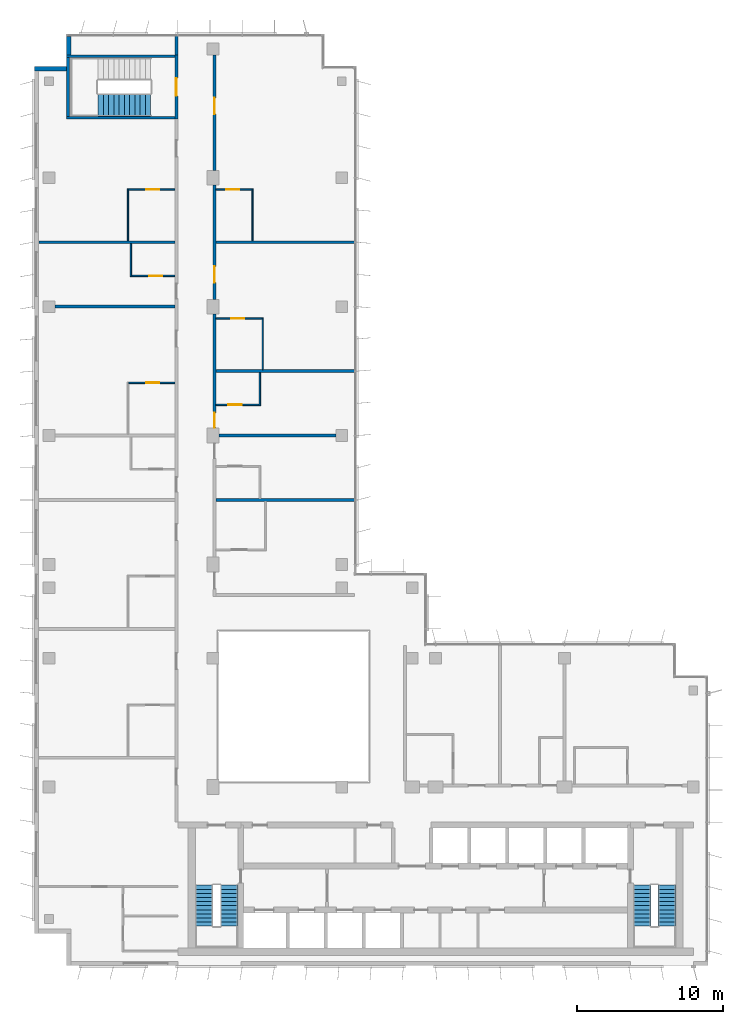
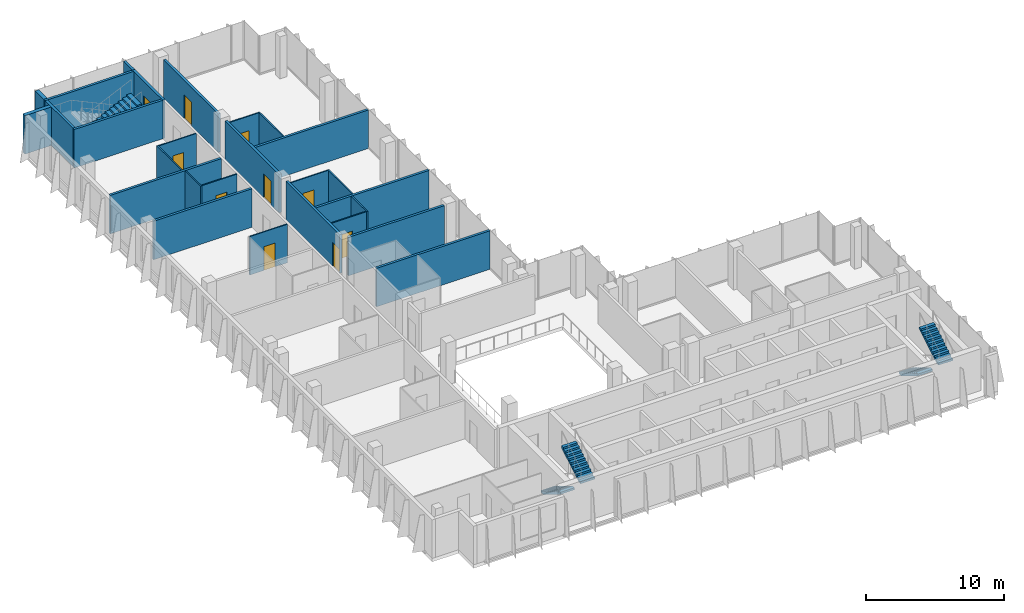
# One storey, part 12 of 16: 27 walls, 10 doors, 5 stair flights, 10 openings, 3 elements without a shape of their own.
"""IFC4 building model written with IfcOpenShell, lengths in metres."""

from ifc_helpers import new_model, si_unit, direction, frame, frame_2d, origin, place, context, subcontext, project, spatial, polyline, rectangle, outline, extrude, material, layer, layer_set, type_object, element, fill, aggregate, save


model = new_model("IFC4")

# Units and contexts
model_context = context("Model", 3, precision=1e-05, world=origin(), true_north=direction((0.0, 1.0)))
body_context = subcontext(model_context, "Body", "Model", "MODEL_VIEW")
ifc_project = project(units=[si_unit("LENGTHUNIT", "METRE"), si_unit("AREAUNIT", "SQUARE_METRE"), si_unit("VOLUMEUNIT", "CUBIC_METRE"), si_unit("PLANEANGLEUNIT", "RADIAN"), si_unit("MASSUNIT", "GRAM", prefix="KILO")], contexts=[model_context])

# Site, building, storey
site_placement = place(None, origin())
site = spatial("IfcSite", under=ifc_project, at=site_placement, CompositionType="ELEMENT")
building_placement = place(site_placement, origin())
building = spatial("IfcBuilding", under=site, at=building_placement, Name="Kemantara Hotel Tower", CompositionType="ELEMENT")
storey_placement = place(building_placement, frame((0.0, 0.0, 272.199951171875)))
storey = spatial("IfcBuildingStorey", under=building, at=storey_placement, Name="L68", CompositionType="ELEMENT", Elevation=272.199951171875)

# Walls
ifc_material_1 = material(Name="Bronze anodised aluminium cladding on insulated steel stud wall", Category="steel")
ifc_layer_1 = layer(ifc_material_1, 0.300048828125)
ifc_layer_set_1 = layer_set([ifc_layer_1], Name="Bronze anodised aluminium cladding on insulated steel stud wall")
wall_type_1 = type_object("IfcWallType", Name="BRONZE METAL-CLAD EXTERNAL WALL 300", PredefinedType="STANDARD", material=ifc_layer_set_1)
wall_1_placement = place(storey_placement, frame((2.35009765625, 63.449951171875, 0.0), z_axis=(0.0, 0.0, 1.0), x_axis=(0.0, -1.0, 0.0)))
element("IfcWall", 1, at=wall_1_placement, inside=storey, type_object=wall_type_1, Name="EXTERNAL WALL L68 T4-R03", PredefinedType="STANDARD", context=body_context, shape_type="SweptSolid", body=[
    extrude(rectangle(XDim=1.25, YDim=0.300048828125, at=frame_2d((0.625, 0.0))), origin(), (0.0, 0.0, 1.0), 3.400146484375),
])
wall_2_placement = place(storey_placement, frame((2.199951171875, 61.25, 0.0), z_axis=(0.0, 0.0, 1.0), x_axis=(-1.0, 0.0, 0.0)))
element("IfcWall", 2, at=wall_2_placement, inside=storey, type_object=wall_type_1, Name="EXTERNAL WALL L68 T4-R04", PredefinedType="STANDARD", context=body_context, shape_type="SweptSolid", body=[
    extrude(rectangle(XDim=2.199951171875, YDim=0.300048828125, at=frame_2d((1.10009765625, 0.0))), origin(), (0.0, 0.0, 1.0), 3.400146484375),
])
ifc_material_2 = material(Name="Gypsum board partition, steel studs and mineral wool, 200 mm", Category="steel")
ifc_layer_2 = layer(ifc_material_2, 0.199951171875)
ifc_layer_set_2 = layer_set([ifc_layer_2], Name="Gypsum board partition, steel studs and mineral wool, 200 mm")
wall_type_2 = type_object("IfcWallType", Name="CORRIDOR WALL 200", PredefinedType="PARTITIONING", material=ifc_layer_set_2)
wall_3_placement = place(storey_placement, frame((9.699951171875, 62.199951171875, 0.0), z_axis=(0.0, 0.0, 1.0), x_axis=(0.0, 1.0, 0.0)))
element("IfcWall", 3, at=wall_3_placement, inside=storey, type_object=wall_type_2, Name="CORRIDOR WALL 200 008", PredefinedType="PARTITIONING", context=body_context, shape_type="SweptSolid", body=[
    extrude(rectangle(XDim=1.280029296875, YDim=0.199951171875, at=frame_2d((0.64013671875, 0.0))), origin(), (0.0, 0.0, 1.0), 3.400146484375),
])

# Wall, opening, door
wall_4_placement = place(storey_placement, frame((12.300048828125, 44.5, 0.0), z_axis=(0.0, 0.0, 1.0), x_axis=(0.0, -1.0, 0.0)))
wall_4 = element("IfcWall", 4, at=wall_4_placement, inside=storey, type_object=wall_type_2, Name="CORRIDOR WALL 200 020", PredefinedType="PARTITIONING", context=body_context, shape_type="SweptSolid", body=[
    extrude(rectangle(XDim=7.7998046875, YDim=0.199951171875, at=frame_2d((3.89990234375, 0.0))), origin(), (0.0, 0.0, 1.0), 3.400146484375),
])
opening_1_placement = place(wall_4_placement, frame((6.75, 0.0, 0.0)))
opening_1 = element("IfcOpeningElement", 5, at=opening_1_placement, cuts=wall_4, Name="Opening F33-027", PredefinedType="OPENING", context=body_context, shape_type="SweptSolid", body=[
    extrude(rectangle(XDim=1.0, YDim=2.10009765625, at=frame_2d((0.5, 1.050048828125))), frame((0.0, 0.10986328125, 0.0), z_axis=(0.0, -1.0, 0.0), x_axis=(1.0, 0.0, 0.0)), (0.0, 0.0, 1.0), 0.219970703125),
])
ifc_material_3 = material(Name="Hardwood veneer door leaf with steel frame", Category="steel")
door_type_1 = type_object("IfcDoorType", Name="GUEST ROOM DOOR 1000 X 2100 FD30S", OperationType="NOTDEFINED", PredefinedType="DOOR", material=ifc_material_3)
door_1_placement = place(opening_1_placement, origin())
door_1 = element("IfcDoor", 6, at=door_1_placement, inside=storey, type_object=door_type_1, Name="GUEST ROOM DOOR F33-027", OperationType="SINGLE_SWING_RIGHT", OverallHeight=2.10009765625, OverallWidth=1.0, PredefinedType="DOOR", context=body_context, shape_type="SweptSolid", body=[
    extrude(rectangle(XDim=1.0, YDim=2.10009765625, at=frame_2d((0.5, 1.050048828125))), frame((0.0, 0.02490234375, 0.0), z_axis=(0.0, -1.0, 0.0), x_axis=(1.0, 0.0, 0.0)), (0.0, 0.0, 1.0), 0.050048828125),
])
fill(opening_1, door_1)

wall_5_placement = place(storey_placement, frame((12.300048828125, 53.2998046875, 0.0), z_axis=(0.0, 0.0, 1.0), x_axis=(0.0, -1.0, 0.0)))
wall_5 = element("IfcWall", 7, at=wall_5_placement, inside=storey, type_object=wall_type_2, Name="CORRIDOR WALL 200 021", PredefinedType="PARTITIONING", context=body_context, shape_type="SweptSolid", body=[
    extrude(rectangle(XDim=7.7998046875, YDim=0.199951171875, at=frame_2d((3.89990234375, 0.0))), origin(), (0.0, 0.0, 1.0), 3.400146484375),
])
opening_2_placement = place(wall_5_placement, frame((5.5498046875, 0.0, 0.0)))
opening_2 = element("IfcOpeningElement", 8, at=opening_2_placement, cuts=wall_5, Name="Opening F33-029", PredefinedType="OPENING", context=body_context, shape_type="SweptSolid", body=[
    extrude(rectangle(XDim=1.10009765625, YDim=2.10009765625, at=frame_2d((0.550048828125, 1.050048828125))), frame((0.0, 0.10986328125, 0.0), z_axis=(0.0, -1.0, 0.0), x_axis=(1.0, 0.0, 0.0)), (0.0, 0.0, 1.0), 0.219970703125),
])
door_type_2 = type_object("IfcDoorType", Name="SUITE ENTRANCE DOOR 1100 X 2100 FD30S", OperationType="NOTDEFINED", PredefinedType="DOOR", material=ifc_material_3)
door_2_placement = place(opening_2_placement, origin())
door_2 = element("IfcDoor", 9, at=door_2_placement, inside=storey, type_object=door_type_2, Name="SUITE ENTRANCE DOOR F33-029", OperationType="SINGLE_SWING_LEFT", OverallHeight=2.10009765625, OverallWidth=1.10009765625, PredefinedType="DOOR", context=body_context, shape_type="SweptSolid", body=[
    extrude(rectangle(XDim=1.10009765625, YDim=2.10009765625, at=frame_2d((0.550048828125, 1.050048828125))), frame((0.0, 0.02490234375, 0.0), z_axis=(0.0, -1.0, 0.0), x_axis=(1.0, 0.0, 0.0)), (0.0, 0.0, 1.0), 0.050048828125),
])
fill(opening_2, door_2)

wall_6_placement = place(storey_placement, frame((12.300048828125, 62.199951171875, 0.0), z_axis=(0.0, 0.0, 1.0), x_axis=(0.0, -1.0, 0.0)))
wall_6 = element("IfcWall", 10, at=wall_6_placement, inside=storey, type_object=wall_type_2, Name="CORRIDOR WALL 200 022", PredefinedType="PARTITIONING", context=body_context, shape_type="SweptSolid", body=[
    extrude(rectangle(XDim=7.89990234375, YDim=0.199951171875, at=frame_2d((3.949951171875, 0.0))), origin(), (0.0, 0.0, 1.0), 3.400146484375),
])
opening_3_placement = place(wall_6_placement, frame((2.949951171875, 0.0, 0.0)))
opening_3 = element("IfcOpeningElement", 11, at=opening_3_placement, cuts=wall_6, Name="Opening F33-031", PredefinedType="OPENING", context=body_context, shape_type="SweptSolid", body=[
    extrude(rectangle(XDim=1.10009765625, YDim=2.10009765625, at=frame_2d((0.550048828125, 1.050048828125))), frame((0.0, 0.10986328125, 0.0), z_axis=(0.0, -1.0, 0.0), x_axis=(1.0, 0.0, 0.0)), (0.0, 0.0, 1.0), 0.219970703125),
])
door_3_placement = place(opening_3_placement, origin())
door_3 = element("IfcDoor", 12, at=door_3_placement, inside=storey, type_object=door_type_2, Name="SUITE ENTRANCE DOOR F33-031", OperationType="SINGLE_SWING_LEFT", OverallHeight=2.10009765625, OverallWidth=1.10009765625, PredefinedType="DOOR", context=body_context, shape_type="SweptSolid", body=[
    extrude(rectangle(XDim=1.10009765625, YDim=2.10009765625, at=frame_2d((0.550048828125, 1.050048828125))), frame((0.0, 0.02490234375, 0.0), z_axis=(0.0, -1.0, 0.0), x_axis=(1.0, 0.0, 0.0)), (0.0, 0.0, 1.0), 0.050048828125),
])
fill(opening_3, door_3)

ifc_material_4 = material(Name="Concrete fc 40 MPa", Category="concrete")
ifc_layer_3 = layer(ifc_material_4, 0.199951171875)
ifc_layer_set_3 = layer_set([ifc_layer_3], Name="Concrete fc 40 MPa")
wall_type_3 = type_object("IfcWallType", Name="Concrete stair wall 200 mm", PredefinedType="SHEAR", material=ifc_layer_set_3)
wall_7_placement = place(storey_placement, frame((9.699951171875, 57.800048828125, 0.0), z_axis=(0.0, 0.0, 1.0), x_axis=(0.0, 1.0, 0.0)))
wall_7 = element("IfcWall", 13, at=wall_7_placement, inside=storey, type_object=wall_type_3, Name="Stair ST4 enclosure wall with door", PredefinedType="SHEAR", context=body_context, shape_type="SweptSolid", body=[
    extrude(rectangle(XDim=4.39990234375, YDim=0.199951171875, at=frame_2d((2.199951171875, 0.0))), origin(), (0.0, 0.0, 1.0), 3.400146484375),
])
opening_4_placement = place(wall_7_placement, frame((1.60009765625, 0.0, 0.0)))
opening_4 = element("IfcOpeningElement", 14, at=opening_4_placement, cuts=wall_7, Name="Opening ST4-C", PredefinedType="OPENING", context=body_context, shape_type="SweptSolid", body=[
    extrude(rectangle(XDim=1.199951171875, YDim=2.10009765625, at=frame_2d((0.60009765625, 1.050048828125))), frame((0.0, 0.10986328125, 0.0), z_axis=(0.0, -1.0, 0.0), x_axis=(1.0, 0.0, 0.0)), (0.0, 0.0, 1.0), 0.219970703125),
])
ifc_material_5 = material(Name="Steel fire door", Category="steel")
door_type_3 = type_object("IfcDoorType", Name="Fire door FD90 1200 x 2100", OperationType="NOTDEFINED", PredefinedType="DOOR", material=ifc_material_5)
door_4_placement = place(opening_4_placement, origin())
door_4 = element("IfcDoor", 15, at=door_4_placement, inside=storey, type_object=door_type_3, Name="Stair ST4 door", OperationType="SINGLE_SWING_RIGHT", OverallHeight=2.10009765625, OverallWidth=1.199951171875, PredefinedType="DOOR", context=body_context, shape_type="SweptSolid", body=[
    extrude(rectangle(XDim=1.199951171875, YDim=2.10009765625, at=frame_2d((0.60009765625, 1.050048828125))), frame((0.0, 0.02490234375, 0.0), z_axis=(0.0, -1.0, 0.0), x_axis=(1.0, 0.0, 0.0)), (0.0, 0.0, 1.0), 0.050048828125),
])
fill(opening_4, door_4)

# Walls
for number, where, z_axis, x_axis, name in (
    (16, (2.199951171875, 62.10009765625, 0.0), (0.0, 0.0, 1.0), (1.0, 0.0, 0.0), "Stair ST4 enclosure wall N"),
    (17, (2.199951171875, 57.89990234375, 0.0), (0.0, 0.0, 1.0), (1.0, 0.0, 0.0), "Stair ST4 enclosure wall S"),
):
    element("IfcWall", number, at=place(storey_placement, frame(where, z_axis=z_axis, x_axis=x_axis)), inside=storey, type_object=wall_type_3, Name=name, PredefinedType="SHEAR", context=body_context, shape_type="SweptSolid", body=[
        extrude(rectangle(XDim=7.400146484375, YDim=0.199951171875, at=frame_2d((3.7001953125, 0.0))), origin(), (0.0, 0.0, 1.0), 3.400146484375),
    ])
wall_8_placement = place(storey_placement, frame((2.300048828125, 58.0, 0.0), z_axis=(0.0, 0.0, 1.0), x_axis=(0.0, 1.0, 0.0)))
element("IfcWall", 18, at=wall_8_placement, inside=storey, type_object=wall_type_3, Name="Stair ST4 enclosure wall W", PredefinedType="SHEAR", context=body_context, shape_type="SweptSolid", body=[
    extrude(rectangle(XDim=4.0, YDim=0.199951171875, at=frame_2d((2.0, 0.0))), origin(), (0.0, 0.0, 1.0), 3.400146484375),
])
ifc_layer_4 = layer(ifc_material_2, 0.199951171875)
ifc_layer_set_4 = layer_set([ifc_layer_4], Name="Gypsum board partition, steel studs and mineral wool, 200 mm")
wall_type_4 = type_object("IfcWallType", Name="GUEST ROOM PARTY WALL 200", PredefinedType="PARTITIONING", material=ifc_layer_set_4)
wall_9_placement = place(storey_placement, frame((12.39990234375, 31.800048828125, 0.0), z_axis=(0.0, 0.0, 1.0), x_axis=(1.0, 0.0, 0.0)))
element("IfcWall", 19, at=wall_9_placement, inside=storey, type_object=wall_type_4, Name="GUEST ROOM PARTY WALL 200 012", PredefinedType="PARTITIONING", context=body_context, shape_type="SweptSolid", body=[
    extrude(rectangle(XDim=9.47021484375, YDim=0.199951171875, at=frame_2d((4.735107421875, 0.0))), origin(), (0.0, 0.0, 1.0), 3.400146484375),
])
wall_10_placement = place(storey_placement, frame((12.60009765625, 36.199951171875, 0.0), z_axis=(0.0, 0.0, 1.0), x_axis=(1.0, 0.0, 0.0)))
element("IfcWall", 20, at=wall_10_placement, inside=storey, type_object=wall_type_4, Name="GUEST ROOM PARTY WALL 200 014", PredefinedType="PARTITIONING", context=body_context, shape_type="SweptSolid", body=[
    extrude(rectangle(XDim=7.999755859375, YDim=0.199951171875, at=frame_2d((4.0, 0.0))), origin(), (0.0, 0.0, 1.0), 3.400146484375),
])
wall_11_placement = place(storey_placement, frame((1.400146484375, 45.0, 0.0), z_axis=(0.0, 0.0, 1.0), x_axis=(1.0, 0.0, 0.0)))
element("IfcWall", 21, at=wall_11_placement, inside=storey, type_object=wall_type_4, Name="GUEST ROOM PARTY WALL 200 015", PredefinedType="PARTITIONING", context=body_context, shape_type="SweptSolid", body=[
    extrude(rectangle(XDim=8.199951171875, YDim=0.199951171875, at=frame_2d((4.10009765625, 0.0))), origin(), (0.0, 0.0, 1.0), 3.400146484375),
])
wall_12_placement = place(storey_placement, frame((0.31005859375, 49.39990234375, 0.0), z_axis=(0.0, 0.0, 1.0), x_axis=(1.0, 0.0, 0.0)))
element("IfcWall", 22, at=wall_12_placement, inside=storey, type_object=wall_type_4, Name="GUEST ROOM PARTY WALL 200 016", PredefinedType="PARTITIONING", context=body_context, shape_type="SweptSolid", body=[
    extrude(rectangle(XDim=9.2900390625, YDim=0.199951171875, at=frame_2d((4.64501953125, 0.0))), origin(), (0.0, 0.0, 1.0), 3.400146484375),
])
for number, where, z_axis, x_axis, name in (
    (23, (12.39990234375, 49.39990234375, 0.0), (0.0, 0.0, 1.0), (1.0, 0.0, 0.0), "GUEST ROOM PARTY WALL 200 017"),
    (24, (12.39990234375, 40.60009765625, 0.0), (0.0, 0.0, 1.0), (1.0, 0.0, 0.0), "GUEST ROOM PARTY WALL 200 024"),
):
    element("IfcWall", number, at=place(storey_placement, frame(where, z_axis=z_axis, x_axis=x_axis)), inside=storey, type_object=wall_type_4, Name=name, PredefinedType="PARTITIONING", context=body_context, shape_type="SweptSolid", body=[
        extrude(rectangle(XDim=9.47021484375, YDim=0.199951171875, at=frame_2d((4.735107421875, 0.0))), origin(), (0.0, 0.0, 1.0), 3.400146484375),
    ])
ifc_material_6 = material(Name="Gypsum board partition on steel studs, 100 mm", Category="steel")
ifc_layer_5 = layer(ifc_material_6, 0.10009765625)
ifc_layer_set_5 = layer_set([ifc_layer_5], Name="Gypsum board partition on steel studs, 100 mm")
wall_type_5 = type_object("IfcWallType", Name="ROOM PARTITION 100", PredefinedType="PARTITIONING", material=ifc_layer_set_5)
wall_13_placement = place(storey_placement, frame((6.39990234375, 49.5, 0.0), z_axis=(0.0, 0.0, 1.0), x_axis=(0.0, 1.0, 0.0)))
element("IfcWall", 25, at=wall_13_placement, inside=storey, type_object=wall_type_5, Name="ROOM PARTITION 100 039", PredefinedType="PARTITIONING", context=body_context, shape_type="SweptSolid", body=[
    extrude(rectangle(XDim=3.550048828125, YDim=0.10009765625, at=frame_2d((1.77490234375, 0.0))), origin(), (0.0, 0.0, 1.0), 3.400146484375),
])
wall_14_placement = place(storey_placement, frame((6.60009765625, 47.050048828125, 0.0), z_axis=(0.0, 0.0, 1.0), x_axis=(0.0, 1.0, 0.0)))
element("IfcWall", 26, at=wall_14_placement, inside=storey, type_object=wall_type_5, Name="ROOM PARTITION 100 043", PredefinedType="PARTITIONING", context=body_context, shape_type="SweptSolid", body=[
    extrude(rectangle(XDim=2.25, YDim=0.10009765625, at=frame_2d((1.125, 0.0))), origin(), (0.0, 0.0, 1.0), 3.400146484375),
])

# Wall, opening, door
wall_15_placement = place(storey_placement, frame((9.60009765625, 39.800048828125, 0.0), z_axis=(0.0, 0.0, 1.0), x_axis=(-1.0, 0.0, 0.0)))
wall_15 = element("IfcWall", 27, at=wall_15_placement, inside=storey, type_object=wall_type_5, Name="ROOM PARTITION 100 045", PredefinedType="PARTITIONING", context=body_context, shape_type="SweptSolid", body=[
    extrude(rectangle(XDim=3.150146484375, YDim=0.10009765625, at=frame_2d((1.5751953125, 0.0))), origin(), (0.0, 0.0, 1.0), 3.400146484375),
])
opening_5_placement = place(wall_15_placement, frame((1.050048828125, 0.0, 0.0)))
opening_5 = element("IfcOpeningElement", 28, at=opening_5_placement, cuts=wall_15, Name="Opening F33-018", PredefinedType="OPENING", context=body_context, shape_type="SweptSolid", body=[
    extrude(rectangle(XDim=0.89990234375, YDim=2.10009765625, at=frame_2d((0.449951171875, 1.050048828125))), frame((0.0, 0.06005859375, 0.0), z_axis=(0.0, -1.0, 0.0), x_axis=(1.0, 0.0, 0.0)), (0.0, 0.0, 1.0), 0.1201171875),
])
door_type_4 = type_object("IfcDoorType", Name="BATHROOM DOOR 900 X 2100", OperationType="NOTDEFINED", PredefinedType="DOOR", material=ifc_material_3)
door_5_placement = place(opening_5_placement, origin())
door_5 = element("IfcDoor", 29, at=door_5_placement, inside=storey, type_object=door_type_4, Name="BATHROOM DOOR F33-018", OperationType="SINGLE_SWING_LEFT", OverallHeight=2.10009765625, OverallWidth=0.89990234375, PredefinedType="DOOR", context=body_context, shape_type="SweptSolid", body=[
    extrude(rectangle(XDim=0.89990234375, YDim=2.10009765625, at=frame_2d((0.449951171875, 1.050048828125))), frame((0.0, 0.02490234375, 0.0), z_axis=(0.0, -1.0, 0.0), x_axis=(1.0, 0.0, 0.0)), (0.0, 0.0, 1.0), 0.050048828125),
])
fill(opening_5, door_5)

wall_16_placement = place(storey_placement, frame((6.64990234375, 47.10009765625, 0.0), z_axis=(0.0, 0.0, 1.0), x_axis=(1.0, 0.0, 0.0)))
wall_16 = element("IfcWall", 30, at=wall_16_placement, inside=storey, type_object=wall_type_5, Name="ROOM PARTITION 100 046", PredefinedType="PARTITIONING", context=body_context, shape_type="SweptSolid", body=[
    extrude(rectangle(XDim=2.9501953125, YDim=0.10009765625, at=frame_2d((1.47509765625, 0.0))), origin(), (0.0, 0.0, 1.0), 3.400146484375),
])
opening_6_placement = place(wall_16_placement, frame((1.199951171875, 0.0, 0.0)))
opening_6 = element("IfcOpeningElement", 31, at=opening_6_placement, cuts=wall_16, Name="Opening F33-020", PredefinedType="OPENING", context=body_context, shape_type="SweptSolid", body=[
    extrude(rectangle(XDim=0.89990234375, YDim=2.10009765625, at=frame_2d((0.449951171875, 1.050048828125))), frame((0.0, 0.06005859375, 0.0), z_axis=(0.0, -1.0, 0.0), x_axis=(1.0, 0.0, 0.0)), (0.0, 0.0, 1.0), 0.1201171875),
])
door_6_placement = place(opening_6_placement, origin())
door_6 = element("IfcDoor", 32, at=door_6_placement, inside=storey, type_object=door_type_4, Name="BATHROOM DOOR F33-020", OperationType="SINGLE_SWING_RIGHT", OverallHeight=2.10009765625, OverallWidth=0.89990234375, PredefinedType="DOOR", context=body_context, shape_type="SweptSolid", body=[
    extrude(rectangle(XDim=0.89990234375, YDim=2.10009765625, at=frame_2d((0.449951171875, 1.050048828125))), frame((0.0, 0.02490234375, 0.0), z_axis=(0.0, -1.0, 0.0), x_axis=(1.0, 0.0, 0.0)), (0.0, 0.0, 1.0), 0.050048828125),
])
fill(opening_6, door_6)

wall_17_placement = place(storey_placement, frame((9.60009765625, 53.0, 0.0), z_axis=(0.0, 0.0, 1.0), x_axis=(-1.0, 0.0, 0.0)))
wall_17 = element("IfcWall", 33, at=wall_17_placement, inside=storey, type_object=wall_type_5, Name="ROOM PARTITION 100 047", PredefinedType="PARTITIONING", context=body_context, shape_type="SweptSolid", body=[
    extrude(rectangle(XDim=3.150146484375, YDim=0.10009765625, at=frame_2d((1.5751953125, 0.0))), origin(), (0.0, 0.0, 1.0), 3.400146484375),
])
opening_7_placement = place(wall_17_placement, frame((1.050048828125, 0.0, 0.0)))
opening_7 = element("IfcOpeningElement", 34, at=opening_7_placement, cuts=wall_17, Name="Opening F33-022", PredefinedType="OPENING", context=body_context, shape_type="SweptSolid", body=[
    extrude(rectangle(XDim=0.89990234375, YDim=2.10009765625, at=frame_2d((0.449951171875, 1.050048828125))), frame((0.0, 0.06005859375, 0.0), z_axis=(0.0, -1.0, 0.0), x_axis=(1.0, 0.0, 0.0)), (0.0, 0.0, 1.0), 0.1201171875),
])
door_7_placement = place(opening_7_placement, origin())
door_7 = element("IfcDoor", 35, at=door_7_placement, inside=storey, type_object=door_type_4, Name="BATHROOM DOOR F33-022", OperationType="SINGLE_SWING_LEFT", OverallHeight=2.10009765625, OverallWidth=0.89990234375, PredefinedType="DOOR", context=body_context, shape_type="SweptSolid", body=[
    extrude(rectangle(XDim=0.89990234375, YDim=2.10009765625, at=frame_2d((0.449951171875, 1.050048828125))), frame((0.0, 0.02490234375, 0.0), z_axis=(0.0, -1.0, 0.0), x_axis=(1.0, 0.0, 0.0)), (0.0, 0.0, 1.0), 0.050048828125),
])
fill(opening_7, door_7)

wall_18_placement = place(storey_placement, frame((14.85009765625, 53.0, 0.0), z_axis=(0.0, 0.0, 1.0), x_axis=(-1.0, 0.0, 0.0)))
wall_18 = element("IfcWall", 36, at=wall_18_placement, inside=storey, type_object=wall_type_5, Name="ROOM PARTITION 100 048", PredefinedType="PARTITIONING", context=body_context, shape_type="SweptSolid", body=[
    extrude(rectangle(XDim=2.4501953125, YDim=0.10009765625, at=frame_2d((1.22509765625, 0.0))), origin(), (0.0, 0.0, 1.0), 3.400146484375),
])
opening_8_placement = place(wall_18_placement, frame((0.85009765625, 0.0, 0.0)))
opening_8 = element("IfcOpeningElement", 37, at=opening_8_placement, cuts=wall_18, Name="Opening F33-032", PredefinedType="OPENING", context=body_context, shape_type="SweptSolid", body=[
    extrude(rectangle(XDim=0.89990234375, YDim=2.10009765625, at=frame_2d((0.449951171875, 1.050048828125))), frame((0.0, 0.06005859375, 0.0), z_axis=(0.0, -1.0, 0.0), x_axis=(1.0, 0.0, 0.0)), (0.0, 0.0, 1.0), 0.1201171875),
])
door_8_placement = place(opening_8_placement, origin())
door_8 = element("IfcDoor", 38, at=door_8_placement, inside=storey, type_object=door_type_4, Name="BATHROOM DOOR F33-032", OperationType="SINGLE_SWING_RIGHT", OverallHeight=2.10009765625, OverallWidth=0.89990234375, PredefinedType="DOOR", context=body_context, shape_type="SweptSolid", body=[
    extrude(rectangle(XDim=0.89990234375, YDim=2.10009765625, at=frame_2d((0.449951171875, 1.050048828125))), frame((0.0, 0.02490234375, 0.0), z_axis=(0.0, -1.0, 0.0), x_axis=(1.0, 0.0, 0.0)), (0.0, 0.0, 1.0), 0.050048828125),
])
fill(opening_8, door_8)

# Wall
wall_19_placement = place(storey_placement, frame((15.39990234375, 38.25, 0.0), z_axis=(0.0, 0.0, 1.0), x_axis=(0.0, 1.0, 0.0)))
element("IfcWall", 39, at=wall_19_placement, inside=storey, type_object=wall_type_5, Name="ROOM PARTITION 100 052", PredefinedType="PARTITIONING", context=body_context, shape_type="SweptSolid", body=[
    extrude(rectangle(XDim=2.25, YDim=0.10009765625, at=frame_2d((1.125, 0.0))), origin(), (0.0, 0.0, 1.0), 3.400146484375),
])

# Wall, opening, door
wall_20_placement = place(storey_placement, frame((12.39990234375, 38.300048828125, 0.0), z_axis=(0.0, 0.0, 1.0), x_axis=(1.0, 0.0, 0.0)))
wall_20 = element("IfcWall", 40, at=wall_20_placement, inside=storey, type_object=wall_type_5, Name="ROOM PARTITION 100 054", PredefinedType="PARTITIONING", context=body_context, shape_type="SweptSolid", body=[
    extrude(rectangle(XDim=2.9501953125, YDim=0.10009765625, at=frame_2d((1.47509765625, 0.0))), origin(), (0.0, 0.0, 1.0), 3.400146484375),
])
opening_9_placement = place(wall_20_placement, frame((0.85009765625, 0.0, 0.0)))
opening_9 = element("IfcOpeningElement", 41, at=opening_9_placement, cuts=wall_20, Name="Opening F33-028", PredefinedType="OPENING", context=body_context, shape_type="SweptSolid", body=[
    extrude(rectangle(XDim=0.89990234375, YDim=2.10009765625, at=frame_2d((0.449951171875, 1.050048828125))), frame((0.0, 0.06005859375, 0.0), z_axis=(0.0, -1.0, 0.0), x_axis=(1.0, 0.0, 0.0)), (0.0, 0.0, 1.0), 0.1201171875),
])
door_9_placement = place(opening_9_placement, origin())
door_9 = element("IfcDoor", 42, at=door_9_placement, inside=storey, type_object=door_type_4, Name="BATHROOM DOOR F33-028", OperationType="SINGLE_SWING_LEFT", OverallHeight=2.10009765625, OverallWidth=0.89990234375, PredefinedType="DOOR", context=body_context, shape_type="SweptSolid", body=[
    extrude(rectangle(XDim=0.89990234375, YDim=2.10009765625, at=frame_2d((0.449951171875, 1.050048828125))), frame((0.0, 0.02490234375, 0.0), z_axis=(0.0, -1.0, 0.0), x_axis=(1.0, 0.0, 0.0)), (0.0, 0.0, 1.0), 0.050048828125),
])
fill(opening_9, door_9)

# Wall
wall_21_placement = place(storey_placement, frame((15.60009765625, 40.699951171875, 0.0), z_axis=(0.0, 0.0, 1.0), x_axis=(0.0, 1.0, 0.0)))
element("IfcWall", 43, at=wall_21_placement, inside=storey, type_object=wall_type_5, Name="ROOM PARTITION 100 055", PredefinedType="PARTITIONING", context=body_context, shape_type="SweptSolid", body=[
    extrude(rectangle(XDim=3.550048828125, YDim=0.10009765625, at=frame_2d((1.77490234375, 0.0))), origin(), (0.0, 0.0, 1.0), 3.400146484375),
])

# Wall, opening, door
wall_22_placement = place(storey_placement, frame((15.550048828125, 44.199951171875, 0.0), z_axis=(0.0, 0.0, 1.0), x_axis=(-1.0, 0.0, 0.0)))
wall_22 = element("IfcWall", 44, at=wall_22_placement, inside=storey, type_object=wall_type_5, Name="ROOM PARTITION 100 056", PredefinedType="PARTITIONING", context=body_context, shape_type="SweptSolid", body=[
    extrude(rectangle(XDim=3.150146484375, YDim=0.10009765625, at=frame_2d((1.5751953125, 0.0))), origin(), (0.0, 0.0, 1.0), 3.400146484375),
])
opening_10_placement = place(wall_22_placement, frame((1.199951171875, 0.0, 0.0)))
opening_10 = element("IfcOpeningElement", 45, at=opening_10_placement, cuts=wall_22, Name="Opening F33-030", PredefinedType="OPENING", context=body_context, shape_type="SweptSolid", body=[
    extrude(rectangle(XDim=0.89990234375, YDim=2.10009765625, at=frame_2d((0.449951171875, 1.050048828125))), frame((0.0, 0.06005859375, 0.0), z_axis=(0.0, -1.0, 0.0), x_axis=(1.0, 0.0, 0.0)), (0.0, 0.0, 1.0), 0.1201171875),
])
door_10_placement = place(opening_10_placement, origin())
door_10 = element("IfcDoor", 46, at=door_10_placement, inside=storey, type_object=door_type_4, Name="BATHROOM DOOR F33-030", OperationType="SINGLE_SWING_RIGHT", OverallHeight=2.10009765625, OverallWidth=0.89990234375, PredefinedType="DOOR", context=body_context, shape_type="SweptSolid", body=[
    extrude(rectangle(XDim=0.89990234375, YDim=2.10009765625, at=frame_2d((0.449951171875, 1.050048828125))), frame((0.0, 0.02490234375, 0.0), z_axis=(0.0, -1.0, 0.0), x_axis=(1.0, 0.0, 0.0)), (0.0, 0.0, 1.0), 0.050048828125),
])
fill(opening_10, door_10)

# Wall
wall_23_placement = place(storey_placement, frame((14.89990234375, 49.5, 0.0), z_axis=(0.0, 0.0, 1.0), x_axis=(0.0, 1.0, 0.0)))
element("IfcWall", 47, at=wall_23_placement, inside=storey, type_object=wall_type_5, Name="ROOM PARTITION 100 057", PredefinedType="PARTITIONING", context=body_context, shape_type="SweptSolid", body=[
    extrude(rectangle(XDim=3.550048828125, YDim=0.10009765625, at=frame_2d((1.77490234375, 0.0))), origin(), (0.0, 0.0, 1.0), 3.400146484375),
])

# Stair, stair flights
stair_type_1 = type_object("IfcStairType", Name="Stair 1200 wide 22 risers of 168 x 280 mm", PredefinedType="HALF_TURN_STAIR", material=ifc_material_4)
stair_1_placement = place(storey_placement, origin())
stair_1 = element("IfcStair", 48, at=stair_1_placement, inside=storey, type_object=stair_type_1, Name="L68 Exit stair ST1", PredefinedType="HALF_TURN_STAIR")
stair_flight_type_1 = type_object("IfcStairFlightType", Name="Stair flight 1200 wide 168 x 280 mm", PredefinedType="STRAIGHT", material=ifc_material_4)
stair_flight_1_placement = place(storey_placement, frame((11.60009765625, 5.5, 0.0), z_axis=(0.0, 0.0, 1.0), x_axis=(0.0, -1.0, 0.0)))
stair_flight_1 = element("IfcStairFlight", 49, at=stair_flight_1_placement, type_object=stair_flight_type_1, Name="ST1 flight 1", NumberOfRisers=11, NumberOfTreads=10, PredefinedType="STRAIGHT", RiserHeight=0.168181818, TreadLength=0.28, context=body_context, shape_type="SweptSolid", body=[
    extrude(outline(polyline([(0.0, 0.0), (0.0, 0.168212890625), (0.280029296875, 0.168212890625), (0.280029296875, 0.33642578125), (0.56005859375, 0.33642578125), (0.56005859375, 0.504638671875), (0.840087890625, 0.504638671875), (0.840087890625, 0.672607421875), (1.1201171875, 0.672607421875), (1.1201171875, 0.8408203125), (1.39990234375, 0.8408203125), (1.39990234375, 1.009033203125), (1.679931640625, 1.009033203125), (1.679931640625, 1.17724609375), (1.9599609375, 1.17724609375), (1.9599609375, 1.345458984375), (2.239990234375, 1.345458984375), (2.239990234375, 1.513671875), (2.52001953125, 1.513671875), (2.52001953125, 1.681884765625), (2.800048828125, 1.681884765625), (2.800048828125, 1.85009765625), (2.800048828125, 1.5068359375), (0.291015625, 0.0), (0.0, 0.0)])), frame((0.0, 0.60009765625, 0.0), z_axis=(0.0, -1.0, 0.0), x_axis=(1.0, 0.0, 0.0)), (0.0, 0.0, 1.0), 1.199951171875),
])
stair_flight_2_placement = place(storey_placement, frame((13.300048828125, 2.699951171875, 1.85009765625), z_axis=(0.0, 0.0, 1.0), x_axis=(0.0, 1.0, 0.0)))
stair_flight_2 = element("IfcStairFlight", 50, at=stair_flight_2_placement, type_object=stair_flight_type_1, Name="ST1 flight 2", NumberOfRisers=11, NumberOfTreads=10, PredefinedType="STRAIGHT", RiserHeight=0.168181818, TreadLength=0.28, context=body_context, shape_type="SweptSolid", body=[
    extrude(outline(polyline([(0.0, 0.0), (0.0, 0.168212890625), (0.280029296875, 0.168212890625), (0.280029296875, 0.33642578125), (0.56005859375, 0.33642578125), (0.56005859375, 0.504638671875), (0.840087890625, 0.504638671875), (0.840087890625, 0.672607421875), (1.1201171875, 0.672607421875), (1.1201171875, 0.8408203125), (1.39990234375, 0.8408203125), (1.39990234375, 1.009033203125), (1.679931640625, 1.009033203125), (1.679931640625, 1.17724609375), (1.9599609375, 1.17724609375), (1.9599609375, 1.345458984375), (2.239990234375, 1.345458984375), (2.239990234375, 1.513671875), (2.52001953125, 1.513671875), (2.52001953125, 1.681884765625), (2.800048828125, 1.681884765625), (2.800048828125, 1.85009765625), (2.800048828125, 1.5068359375), (0.291015625, 0.0), (0.0, 0.0)])), frame((0.0, 0.60009765625, 0.0), z_axis=(0.0, -1.0, 0.0), x_axis=(1.0, 0.0, 0.0)), (0.0, 0.0, 1.0), 1.199951171875),
])
aggregate(stair_1, [stair_flight_1, stair_flight_2])

stair_2_placement = place(storey_placement, origin())
stair_2 = element("IfcStair", 51, at=stair_2_placement, inside=storey, type_object=stair_type_1, Name="L68 Exit stair ST2", PredefinedType="HALF_TURN_STAIR")
stair_flight_3_placement = place(storey_placement, frame((41.5, 5.5, 0.0), z_axis=(0.0, 0.0, 1.0), x_axis=(0.0, -1.0, 0.0)))
stair_flight_3 = element("IfcStairFlight", 52, at=stair_flight_3_placement, type_object=stair_flight_type_1, Name="ST2 flight 1", NumberOfRisers=11, NumberOfTreads=10, PredefinedType="STRAIGHT", RiserHeight=0.168181818, TreadLength=0.28, context=body_context, shape_type="SweptSolid", body=[
    extrude(outline(polyline([(0.0, 0.0), (0.0, 0.168212890625), (0.280029296875, 0.168212890625), (0.280029296875, 0.33642578125), (0.56005859375, 0.33642578125), (0.56005859375, 0.504638671875), (0.840087890625, 0.504638671875), (0.840087890625, 0.672607421875), (1.1201171875, 0.672607421875), (1.1201171875, 0.8408203125), (1.39990234375, 0.8408203125), (1.39990234375, 1.009033203125), (1.679931640625, 1.009033203125), (1.679931640625, 1.17724609375), (1.9599609375, 1.17724609375), (1.9599609375, 1.345458984375), (2.239990234375, 1.345458984375), (2.239990234375, 1.513671875), (2.52001953125, 1.513671875), (2.52001953125, 1.681884765625), (2.800048828125, 1.681884765625), (2.800048828125, 1.85009765625), (2.800048828125, 1.5068359375), (0.291015625, 0.0), (0.0, 0.0)])), frame((0.0, 0.60009765625, 0.0), z_axis=(0.0, -1.0, 0.0), x_axis=(1.0, 0.0, 0.0)), (0.0, 0.0, 1.0), 1.199951171875),
])
stair_flight_4_placement = place(storey_placement, frame((43.199951171875, 2.699951171875, 1.85009765625), z_axis=(0.0, 0.0, 1.0), x_axis=(0.0, 1.0, 0.0)))
stair_flight_4 = element("IfcStairFlight", 53, at=stair_flight_4_placement, type_object=stair_flight_type_1, Name="ST2 flight 2", NumberOfRisers=11, NumberOfTreads=10, PredefinedType="STRAIGHT", RiserHeight=0.168181818, TreadLength=0.28, context=body_context, shape_type="SweptSolid", body=[
    extrude(outline(polyline([(0.0, 0.0), (0.0, 0.168212890625), (0.280029296875, 0.168212890625), (0.280029296875, 0.33642578125), (0.56005859375, 0.33642578125), (0.56005859375, 0.504638671875), (0.840087890625, 0.504638671875), (0.840087890625, 0.672607421875), (1.1201171875, 0.672607421875), (1.1201171875, 0.8408203125), (1.39990234375, 0.8408203125), (1.39990234375, 1.009033203125), (1.679931640625, 1.009033203125), (1.679931640625, 1.17724609375), (1.9599609375, 1.17724609375), (1.9599609375, 1.345458984375), (2.239990234375, 1.345458984375), (2.239990234375, 1.513671875), (2.52001953125, 1.513671875), (2.52001953125, 1.681884765625), (2.800048828125, 1.681884765625), (2.800048828125, 1.85009765625), (2.800048828125, 1.5068359375), (0.291015625, 0.0), (0.0, 0.0)])), frame((0.0, 0.60009765625, 0.0), z_axis=(0.0, -1.0, 0.0), x_axis=(1.0, 0.0, 0.0)), (0.0, 0.0, 1.0), 1.199951171875),
])
aggregate(stair_2, [stair_flight_3, stair_flight_4])

# Stair, stair flight
stair_type_2 = type_object("IfcStairType", Name="Stair 1550 wide 22 risers of 168 x 360 mm", PredefinedType="HALF_TURN_STAIR", material=ifc_material_4)
stair_3_placement = place(storey_placement, origin())
stair_3 = element("IfcStair", 54, at=stair_3_placement, inside=storey, type_object=stair_type_2, Name="L68 Exit stair ST4", PredefinedType="HALF_TURN_STAIR")
stair_flight_type_2 = type_object("IfcStairFlightType", Name="Stair flight 1550 wide 168 x 360 mm", PredefinedType="STRAIGHT", material=ifc_material_4)
stair_flight_5_placement = place(storey_placement, frame((4.35009765625, 58.77490234375, 1.85009765625), z_axis=(0.0, 0.0, 1.0), x_axis=(1.0, 0.0, 0.0)))
stair_flight_5 = element("IfcStairFlight", 55, at=stair_flight_5_placement, type_object=stair_flight_type_2, Name="ST4 flight 2", NumberOfRisers=11, NumberOfTreads=10, PredefinedType="STRAIGHT", RiserHeight=0.168181818, TreadLength=0.36, context=body_context, shape_type="SweptSolid", body=[
    extrude(outline(polyline([(0.0, 0.0), (0.0, 0.168212890625), (0.360107421875, 0.168212890625), (0.360107421875, 0.33642578125), (0.719970703125, 0.33642578125), (0.719970703125, 0.504638671875), (1.080078125, 0.504638671875), (1.080078125, 0.672607421875), (1.43994140625, 0.672607421875), (1.43994140625, 0.8408203125), (1.800048828125, 0.8408203125), (1.800048828125, 1.009033203125), (2.159912109375, 1.009033203125), (2.159912109375, 1.17724609375), (2.52001953125, 1.17724609375), (2.52001953125, 1.345458984375), (2.8798828125, 1.345458984375), (2.8798828125, 1.513671875), (3.239990234375, 1.513671875), (3.239990234375, 1.681884765625), (3.60009765625, 1.681884765625), (3.60009765625, 1.85009765625), (3.60009765625, 1.516357421875), (0.354248046875, 0.0), (0.0, 0.0)])), frame((0.0, 0.77490234375, 0.0), z_axis=(0.0, -1.0, 0.0), x_axis=(1.0, 0.0, 0.0)), (0.0, 0.0, 1.0), 1.550048828125),
])
aggregate(stair_3, [stair_flight_5])

save(model, "model.ifc")
